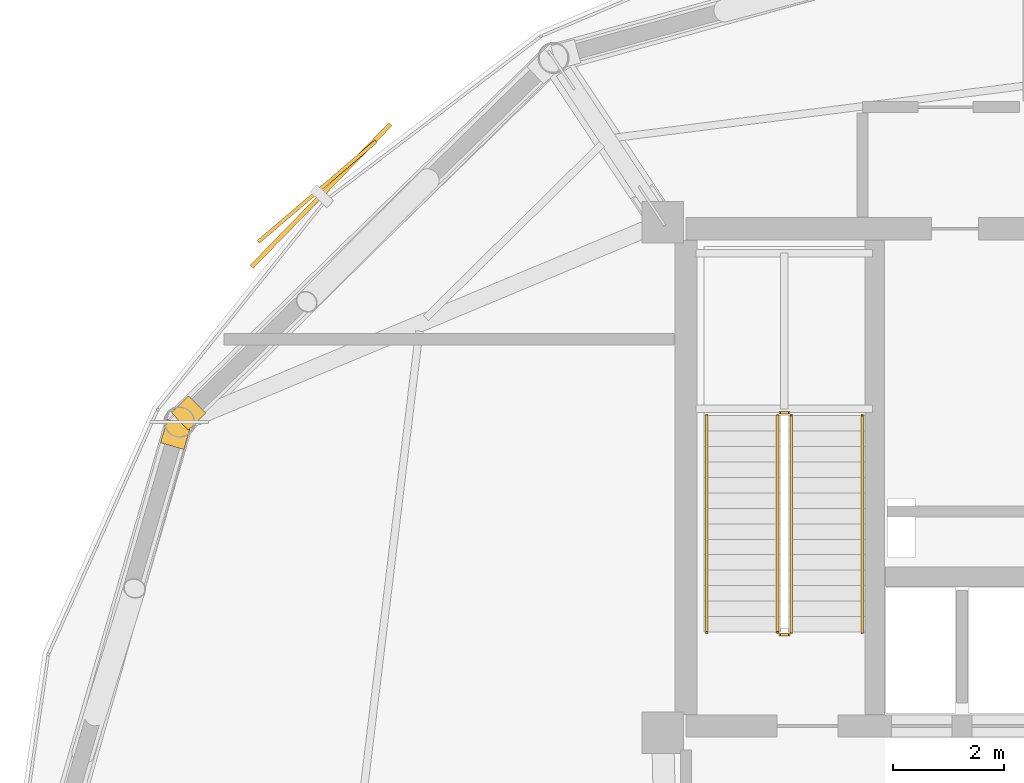
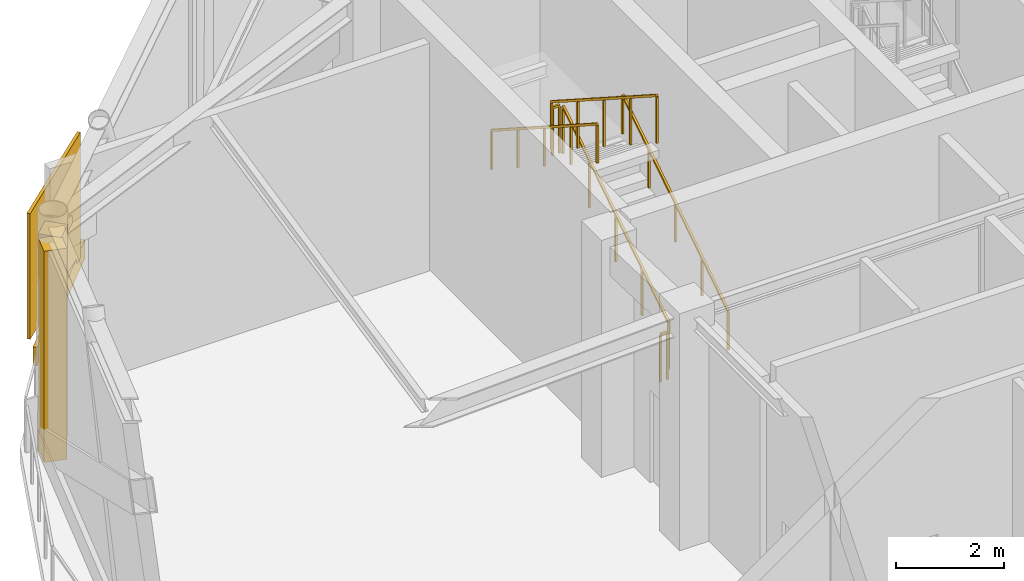
# One storey, part 7 of 10: 6 railings, 3 coverings, 1 shading device.
"""IFC4 building model written with IfcOpenShell, lengths in metres."""

from ifc_helpers import new_model, si_unit, direction, frame, origin, origin_2d, place, context, subcontext, project, spatial, rectangle, extrude, source, transform, mapped, material, layer, layer_set, type_object, type_shapes, element, save


model = new_model("IFC4")

# Units and contexts
model_context = context("Model", 3, precision=1e-05, world=origin(), true_north=direction((0.0, 1.0)))
body_context = subcontext(model_context, "Body", "Model", "MODEL_VIEW")
ifc_project = project(units=[si_unit("LENGTHUNIT", "METRE"), si_unit("AREAUNIT", "SQUARE_METRE"), si_unit("VOLUMEUNIT", "CUBIC_METRE"), si_unit("PLANEANGLEUNIT", "RADIAN"), si_unit("MASSUNIT", "GRAM", prefix="KILO")], contexts=[model_context])

# Site, building, storey
site_placement = place(None, origin())
site = spatial("IfcSite", under=ifc_project, at=site_placement, CompositionType="ELEMENT")
building_placement = place(site_placement, origin())
building = spatial("IfcBuilding", under=site, at=building_placement, Name="Varnakorn Sky Granary", CompositionType="ELEMENT")
storey_placement = place(building_placement, frame((0.0, 0.0, 240.0)))
storey = spatial("IfcBuildingStorey", under=building, at=storey_placement, Name="L61", CompositionType="ELEMENT", Elevation=240.0)

# Railings
ifc_material_1 = material(Name="Brushed Stainless Steel 316", Category="steel")
railing_type_1 = type_object("IfcRailingType", Name="RL-STAIR-1100", PredefinedType="GUARDRAIL", material=ifc_material_1)
railing_1_placement = place(storey_placement, frame((-0.090087890625, 5.199951171875, 0.179931640625)))
element("IfcRailing", 1, at=railing_1_placement, inside=storey, type_object=railing_type_1, Name="L61 ST-1 stair guard 1", PredefinedType="GUARDRAIL", context=body_context, shape_type="SweptSolid", body=[
    extrude(rectangle(XDim=0.048095703125, YDim=0.048095703125, at=origin_2d()), frame((0.0, 0.0, 1.076171875), z_axis=(0.0, 0.841186985886, 0.540744352514), x_axis=(-1.0, 0.0, 0.0)), (0.0, 0.0, 1.0), 4.660400390625),
    extrude(rectangle(XDim=0.0419921875, YDim=0.0419921875, at=origin_2d()), origin(), (0.0, 0.0, 1.0), 1.048095703125),
    extrude(rectangle(XDim=0.0419921875, YDim=0.0419921875, at=origin_2d()), frame((0.0, 0.97998046875, 0.6298828125)), (0.0, 0.0, 1.0), 1.048095703125),
    extrude(rectangle(XDim=0.0419921875, YDim=0.0419921875, at=origin_2d()), frame((0.0, 1.9599609375, 1.260009765625)), (0.0, 0.0, 1.0), 1.048095703125),
    extrude(rectangle(XDim=0.0419921875, YDim=0.0419921875, at=origin_2d()), frame((0.0, 2.940185546875, 1.89013671875)), (0.0, 0.0, 1.0), 1.048095703125),
    extrude(rectangle(XDim=0.0419921875, YDim=0.0419921875, at=origin_2d()), frame((0.0, 3.920166015625, 2.52001953125)), (0.0, 0.0, 1.0), 1.048095703125),
])
railing_2_placement = place(storey_placement, frame((-0.139892578125, 9.169921875, 2.699951171875)))
element("IfcRailing", 2, at=railing_2_placement, inside=storey, type_object=railing_type_1, Name="L61 ST-1 stair guard 2", PredefinedType="GUARDRAIL", context=body_context, shape_type="SweptSolid", body=[
    extrude(rectangle(XDim=0.048095703125, YDim=0.048095703125, at=origin_2d()), frame((0.0, 0.0, 1.076171875), z_axis=(-1.0, 0.0, 0.0), x_axis=(0.0, -1.0, 0.0)), (0.0, 0.0, 1.0), 0.150146484375),
    extrude(rectangle(XDim=0.0419921875, YDim=0.0419921875, at=origin_2d()), origin(), (0.0, 0.0, 1.0), 1.048095703125),
    extrude(rectangle(XDim=0.0419921875, YDim=0.0419921875, at=origin_2d()), frame((-0.150146484375, 0.0, 0.0)), (0.0, 0.0, 1.0), 1.048095703125),
])
railing_3_placement = place(storey_placement, frame((-0.340087890625, 9.1201171875, 2.8798828125)))
element("IfcRailing", 3, at=railing_3_placement, inside=storey, type_object=railing_type_1, Name="L61 ST-1 stair guard 3", PredefinedType="GUARDRAIL", context=body_context, shape_type="SweptSolid", body=[
    extrude(rectangle(XDim=0.048095703125, YDim=0.048095703125, at=origin_2d()), frame((0.0, 0.0, 1.076171875), z_axis=(0.0, -0.841186985886, 0.540744352514), x_axis=(1.0, 0.0, 0.0)), (0.0, 0.0, 1.0), 4.660400390625),
    extrude(rectangle(XDim=0.0419921875, YDim=0.0419921875, at=origin_2d()), origin(), (0.0, 0.0, 1.0), 1.048095703125),
    extrude(rectangle(XDim=0.0419921875, YDim=0.0419921875, at=origin_2d()), frame((0.0, -0.97998046875, 0.6298828125)), (0.0, 0.0, 1.0), 1.048095703125),
    extrude(rectangle(XDim=0.0419921875, YDim=0.0419921875, at=origin_2d()), frame((0.0, -1.9599609375, 1.260009765625)), (0.0, 0.0, 1.0), 1.048095703125),
    extrude(rectangle(XDim=0.0419921875, YDim=0.0419921875, at=origin_2d()), frame((0.0, -2.940185546875, 1.89013671875)), (0.0, 0.0, 1.0), 1.048095703125),
    extrude(rectangle(XDim=0.0419921875, YDim=0.0419921875, at=origin_2d()), frame((0.0, -3.920166015625, 2.52001953125)), (0.0, 0.0, 1.0), 1.048095703125),
])
railing_4_placement = place(storey_placement, frame((-0.139892578125, 5.14990234375, 0.0)))
element("IfcRailing", 4, at=railing_4_placement, inside=storey, type_object=railing_type_1, Name="L61 ST-1 stair guard 4", PredefinedType="GUARDRAIL", context=body_context, shape_type="SweptSolid", body=[
    extrude(rectangle(XDim=0.048095703125, YDim=0.048095703125, at=origin_2d()), frame((0.0, 0.0, 1.076171875), z_axis=(-1.0, 0.0, 0.0), x_axis=(0.0, -1.0, 0.0)), (0.0, 0.0, 1.0), 0.150146484375),
    extrude(rectangle(XDim=0.0419921875, YDim=0.0419921875, at=origin_2d()), origin(), (0.0, 0.0, 1.0), 1.048095703125),
    extrude(rectangle(XDim=0.0419921875, YDim=0.0419921875, at=origin_2d()), frame((-0.150146484375, 0.0, 0.0)), (0.0, 0.0, 1.0), 1.048095703125),
])
railing_type_2 = type_object("IfcRailingType", Name="RL-STAIR-920", PredefinedType="HANDRAIL", material=ifc_material_1)
railing_5_placement = place(storey_placement, frame((1.18994140625, 5.199951171875, 0.179931640625)))
element("IfcRailing", 5, at=railing_5_placement, inside=storey, type_object=railing_type_2, Name="L61 ST-1 stair handrail 1", PredefinedType="HANDRAIL", context=body_context, shape_type="SweptSolid", body=[
    extrude(rectangle(XDim=0.048095703125, YDim=0.048095703125, at=origin_2d()), frame((0.0, 0.0, 0.8759765625), z_axis=(0.0, 0.841186985886, 0.540744352514), x_axis=(-1.0, 0.0, 0.0)), (0.0, 0.0, 1.0), 4.660400390625),
    extrude(rectangle(XDim=0.0419921875, YDim=0.0419921875, at=origin_2d()), origin(), (0.0, 0.0, 1.0), 0.847900390625),
    extrude(rectangle(XDim=0.0419921875, YDim=0.0419921875, at=origin_2d()), frame((0.0, 0.97998046875, 0.6298828125)), (0.0, 0.0, 1.0), 0.847900390625),
    extrude(rectangle(XDim=0.0419921875, YDim=0.0419921875, at=origin_2d()), frame((0.0, 1.9599609375, 1.260009765625)), (0.0, 0.0, 1.0), 0.847900390625),
    extrude(rectangle(XDim=0.0419921875, YDim=0.0419921875, at=origin_2d()), frame((0.0, 2.940185546875, 1.89013671875)), (0.0, 0.0, 1.0), 0.847900390625),
    extrude(rectangle(XDim=0.0419921875, YDim=0.0419921875, at=origin_2d()), frame((0.0, 3.920166015625, 2.52001953125)), (0.0, 0.0, 1.0), 0.847900390625),
])
railing_6_placement = place(storey_placement, frame((-1.6201171875, 9.1201171875, 2.8798828125)))
element("IfcRailing", 6, at=railing_6_placement, inside=storey, type_object=railing_type_2, Name="L61 ST-1 stair handrail 2", PredefinedType="HANDRAIL", context=body_context, shape_type="SweptSolid", body=[
    extrude(rectangle(XDim=0.048095703125, YDim=0.048095703125, at=origin_2d()), frame((0.0, 0.0, 0.8759765625), z_axis=(0.0, -0.841186985886, 0.540744352514), x_axis=(1.0, 0.0, 0.0)), (0.0, 0.0, 1.0), 4.660400390625),
    extrude(rectangle(XDim=0.0419921875, YDim=0.0419921875, at=origin_2d()), origin(), (0.0, 0.0, 1.0), 0.847900390625),
    extrude(rectangle(XDim=0.0419921875, YDim=0.0419921875, at=origin_2d()), frame((0.0, -0.97998046875, 0.6298828125)), (0.0, 0.0, 1.0), 0.847900390625),
    extrude(rectangle(XDim=0.0419921875, YDim=0.0419921875, at=origin_2d()), frame((0.0, -1.9599609375, 1.260009765625)), (0.0, 0.0, 1.0), 0.847900390625),
    extrude(rectangle(XDim=0.0419921875, YDim=0.0419921875, at=origin_2d()), frame((0.0, -2.940185546875, 1.89013671875)), (0.0, 0.0, 1.0), 0.847900390625),
    extrude(rectangle(XDim=0.0419921875, YDim=0.0419921875, at=origin_2d()), frame((0.0, -3.920166015625, 2.52001953125)), (0.0, 0.0, 1.0), 0.847900390625),
])

# Covering
ifc_material_2 = material(Name="Anodised Bronze Aluminium Alloy 6063-T6", Category="aluminium")
ifc_layer = layer(ifc_material_2, 0.050048828125, Name="Anodised Bronze Aluminium Alloy 6063-T6")
ifc_layer_set = layer_set([ifc_layer], Name="Anodised Bronze Aluminium Alloy 6063-T6")
covering_type = type_object("IfcCoveringType", Name="CV-CLAD-50", PredefinedType="CLADDING", material=ifc_layer_set)
shared_shape_1 = source(origin(), body_context, "Body", "SweptSolid", [
    extrude(rectangle(XDim=3.60009765625, YDim=0.080078125, at=origin_2d()), origin(), (0.0, 0.0, 1.0), 0.419921875),
])
covering_placement = place(storey_placement, frame((-8.601318359375, 13.101318359375, -0.330078125), z_axis=(0.0, 0.0, 1.0), x_axis=(-0.697730689714, -0.716360164045, 0.0)))
element("IfcCovering", 7, at=covering_placement, inside=storey, type_object=covering_type, Name="Bronze Slab-Edge Spandrel Cladding L61-05", PredefinedType="CLADDING", context=body_context, shape_type="MappedRepresentation", body=[
    mapped(shared_shape_1, transform((0.0, 0.0, 0.0), x_axis=(1.0, 0.0, 0.0), y_axis=(0.0, 1.0, 0.0), z_axis=(0.0, 0.0, 1.0), scale=1.0)),
])

# Shading device
shading_device_type = type_object("IfcShadingDeviceType", Name="SH-SCR-03", PredefinedType="USERDEFINED", material=ifc_material_2)
shared_shape_2 = source(origin(), body_context, "Body", "SweptSolid", [
    extrude(rectangle(XDim=2.800048828125, YDim=0.06494140625, at=origin_2d()), origin(), (0.0, 0.0, 1.0), 2.85009765625),
])
type_shapes(shading_device_type, [shared_shape_2])
shading_device_placement = place(storey_placement, frame((-8.6728515625, 13.171142578125, -0.0400390625), z_axis=(0.0, 0.0, 1.0), x_axis=(-0.760351773494, -0.649511493775, 0.0)))
element("IfcShadingDevice", 8, at=shading_device_placement, inside=storey, type_object=shading_device_type, Name="Perforated Bronze Solar Screen Panel SCREEN L61-05", ObjectType="SCREEN", PredefinedType="USERDEFINED", context=body_context, shape_type="MappedRepresentation", body=[
    mapped(shared_shape_2, transform((0.0, 0.0, 0.0), x_axis=(1.0, 0.0, 0.0), y_axis=(0.0, 1.0, 0.0), z_axis=(0.0, 0.0, 1.0), scale=1.0)),
])

# Coverings
shared_shape_3 = source(origin(), body_context, "Body", "SweptSolid", [
    extrude(rectangle(XDim=0.43994140625, YDim=0.43994140625, at=origin_2d()), origin(), (0.0, 0.0, 1.0), 4.7900390625),
])
type_shapes(covering_type, [shared_shape_1, shared_shape_3])
for number, where, z_axis, x_axis, name in (
    (9, (-11.0, 9.166015625, -0.02001953125), (0.0, 0.0, 1.0), (0.7165454746, 0.697540380788, 0.0), "Bronze Corner Pilaster Closure L61-P05-A"),
    (10, (-11.2333984375, 8.77734375, -0.02001953125), (0.0, 0.0, 1.0), (0.278823498925, 0.960342364184, 0.0), "Bronze Corner Pilaster Closure L61-P06-B"),
):
    element("IfcCovering", number, at=place(storey_placement, frame(where, z_axis=z_axis, x_axis=x_axis)), inside=storey, type_object=covering_type, Name=name, PredefinedType="CLADDING", context=body_context, shape_type="MappedRepresentation", body=[
        mapped(shared_shape_3, transform((0.0, 0.0, 0.0), x_axis=(1.0, 0.0, 0.0), y_axis=(0.0, 1.0, 0.0), z_axis=(0.0, 0.0, 1.0), scale=1.0)),
    ])

save(model, "model.ifc")
